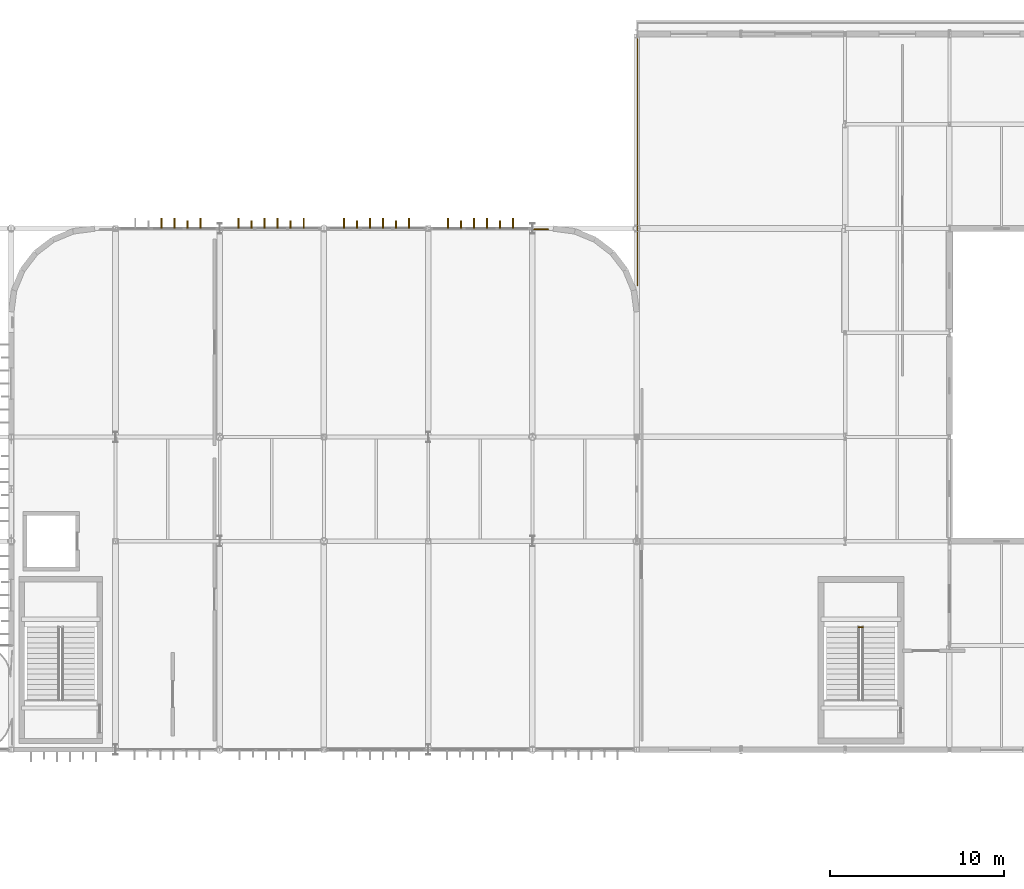
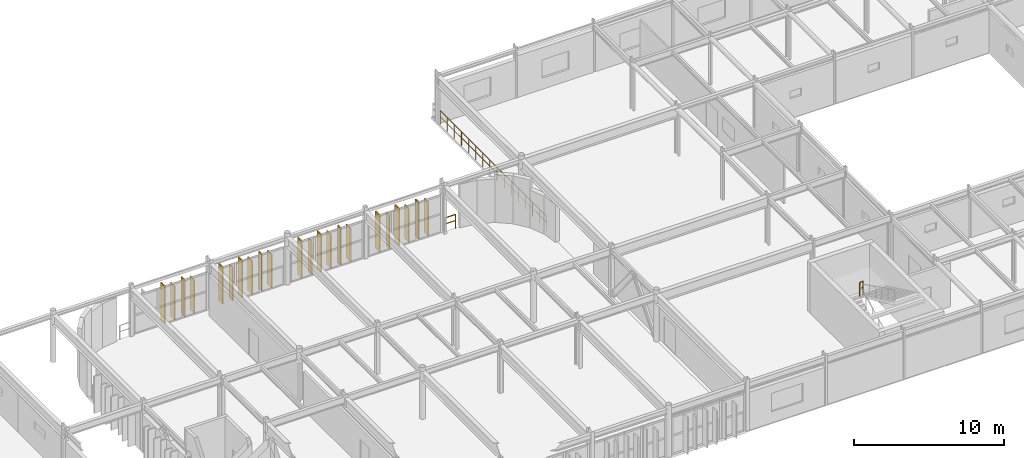
# One storey, part 111 of 116: 22 coverings, 3 railings.
"""IFC4 building model written with IfcOpenShell, lengths in metres."""

from ifc_helpers import new_model, si_unit, direction, frame, origin, origin_2d, place, context, subcontext, project, spatial, rectangle, circle, extrude, material, layer, layer_set, type_object, element, save


model = new_model("IFC4")

# Units and contexts
model_context = context("Model", 3, precision=1e-05, world=origin(), true_north=direction((0.0, 1.0)))
body_context = subcontext(model_context, "Body", "Model", "MODEL_VIEW")
ifc_project = project(units=[si_unit("LENGTHUNIT", "METRE"), si_unit("AREAUNIT", "SQUARE_METRE"), si_unit("VOLUMEUNIT", "CUBIC_METRE"), si_unit("PLANEANGLEUNIT", "RADIAN"), si_unit("MASSUNIT", "GRAM", prefix="KILO")], contexts=[model_context])

# Site, building, storey
site_placement = place(None, origin())
site = spatial("IfcSite", under=ifc_project, at=site_placement, CompositionType="ELEMENT")
building_placement = place(site_placement, origin())
building = spatial("IfcBuilding", under=site, at=building_placement, Name="Varnakota Square Police Headquarters", CompositionType="ELEMENT")
storey_placement = place(building_placement, frame((0.0, 0.0, 9.300048828125)))
storey = spatial("IfcBuildingStorey", under=building, at=storey_placement, Name="L02", CompositionType="ELEMENT", Elevation=9.300048828125)

# Coverings
ifc_material_1 = material(Name="White Anodised Aluminium Vertical Facade Blade 420", Category="aluminium")
ifc_layer_1 = layer(ifc_material_1, 0.0849609375, Name="White Anodised Aluminium Vertical Facade Blade 420")
ifc_layer_set_1 = layer_set([ifc_layer_1], Name="White Anodised Aluminium Vertical Facade Blade 420")
covering_type_1 = type_object("IfcCoveringType", Name="COV-FIN-420", PredefinedType="CLADDING", material=ifc_layer_set_1)
covering_1_placement = place(storey_placement, frame((70.137451171875, 99.237548828125, 0.0400390625), z_axis=(0.0, 0.0, 1.0), x_axis=(1.0, 0.0, 0.0)))
element("IfcCovering", 1, at=covering_1_placement, inside=storey, type_object=covering_type_1, Name="Vertical aluminium facade fin FIN-1242", PredefinedType="CLADDING", context=body_context, shape_type="SweptSolid", body=[
    extrude(rectangle(XDim=0.0849609375, YDim=0.419921875, at=origin_2d()), origin(), (0.0, 0.0, 1.0), 3.010009765625),
])
covering_2_placement = place(storey_placement, frame((73.8359375, 99.237548828125, 0.0400390625), z_axis=(0.0, 0.0, 1.0), x_axis=(1.0, 0.0, 0.0)))
element("IfcCovering", 2, at=covering_2_placement, inside=storey, type_object=covering_type_1, Name="Vertical aluminium facade fin FIN-1245", PredefinedType="CLADDING", context=body_context, shape_type="SweptSolid", body=[
    extrude(rectangle(XDim=0.0849609375, YDim=0.419921875, at=origin_2d()), origin(), (0.0, 0.0, 1.0), 2.72998046875),
])
covering_3_placement = place(storey_placement, frame((76.0859375, 99.237548828125, 0.0400390625), z_axis=(0.0, 0.0, 1.0), x_axis=(1.0, 0.0, 0.0)))
element("IfcCovering", 3, at=covering_3_placement, inside=storey, type_object=covering_type_1, Name="Vertical aluminium facade fin FIN-1248", PredefinedType="CLADDING", context=body_context, shape_type="SweptSolid", body=[
    extrude(rectangle(XDim=0.0849609375, YDim=0.419921875, at=origin_2d()), origin(), (0.0, 0.0, 1.0), 3.010009765625),
])
covering_4_placement = place(storey_placement, frame((79.901611328125, 99.237548828125, 0.0400390625), z_axis=(0.0, 0.0, 1.0), x_axis=(1.0, 0.0, 0.0)))
element("IfcCovering", 4, at=covering_4_placement, inside=storey, type_object=covering_type_1, Name="Vertical aluminium facade fin FIN-1251", PredefinedType="CLADDING", context=body_context, shape_type="SweptSolid", body=[
    extrude(rectangle(XDim=0.0849609375, YDim=0.419921875, at=origin_2d()), origin(), (0.0, 0.0, 1.0), 2.72998046875),
])
covering_5_placement = place(storey_placement, frame((82.151611328125, 99.237548828125, 0.0400390625), z_axis=(0.0, 0.0, 1.0), x_axis=(1.0, 0.0, 0.0)))
element("IfcCovering", 5, at=covering_5_placement, inside=storey, type_object=covering_type_1, Name="Vertical aluminium facade fin FIN-1254", PredefinedType="CLADDING", context=body_context, shape_type="SweptSolid", body=[
    extrude(rectangle(XDim=0.0849609375, YDim=0.419921875, at=origin_2d()), origin(), (0.0, 0.0, 1.0), 3.010009765625),
])
covering_6_placement = place(storey_placement, frame((85.887451171875, 99.237548828125, 0.0400390625), z_axis=(0.0, 0.0, 1.0), x_axis=(1.0, 0.0, 0.0)))
element("IfcCovering", 6, at=covering_6_placement, inside=storey, type_object=covering_type_1, Name="Vertical aluminium facade fin FIN-1257", PredefinedType="CLADDING", context=body_context, shape_type="SweptSolid", body=[
    extrude(rectangle(XDim=0.0849609375, YDim=0.419921875, at=origin_2d()), origin(), (0.0, 0.0, 1.0), 2.72998046875),
])
covering_7_placement = place(storey_placement, frame((88.137451171875, 99.237548828125, 0.0400390625), z_axis=(0.0, 0.0, 1.0), x_axis=(1.0, 0.0, 0.0)))
element("IfcCovering", 7, at=covering_7_placement, inside=storey, type_object=covering_type_1, Name="Vertical aluminium facade fin FIN-1260", PredefinedType="CLADDING", context=body_context, shape_type="SweptSolid", body=[
    extrude(rectangle(XDim=0.0849609375, YDim=0.419921875, at=origin_2d()), origin(), (0.0, 0.0, 1.0), 3.010009765625),
])
ifc_material_2 = material(Name="White Anodised Aluminium Vertical Facade Blade 550", Category="aluminium")
ifc_layer_2 = layer(ifc_material_2, 0.0849609375, Name="White Anodised Aluminium Vertical Facade Blade 550")
ifc_layer_set_2 = layer_set([ifc_layer_2], Name="White Anodised Aluminium Vertical Facade Blade 550")
covering_type_2 = type_object("IfcCoveringType", Name="COV-FIN-550", PredefinedType="CLADDING", material=ifc_layer_set_2)
covering_8_placement = place(storey_placement, frame((68.637451171875, 99.302490234375, 0.0400390625), z_axis=(0.0, 0.0, 1.0), x_axis=(1.0, 0.0, 0.0)))
element("IfcCovering", 8, at=covering_8_placement, inside=storey, type_object=covering_type_2, Name="Vertical aluminium facade fin FIN-1240", PredefinedType="CLADDING", context=body_context, shape_type="SweptSolid", body=[
    extrude(rectangle(XDim=0.0849609375, YDim=0.550048828125, at=origin_2d()), origin(), (0.0, 0.0, 1.0), 3.010009765625),
])
for number, where, z_axis, x_axis, name in (
    (9, (69.387451171875, 99.302490234375, 0.0400390625), (0.0, 0.0, 1.0), (1.0, 0.0, 0.0), "Vertical aluminium facade fin FIN-1241"),
    (10, (70.887451171875, 99.302490234375, 0.0400390625), (0.0, 0.0, 1.0), (1.0, 0.0, 0.0), "Vertical aluminium facade fin FIN-1243"),
):
    element("IfcCovering", number, at=place(storey_placement, frame(where, z_axis=z_axis, x_axis=x_axis)), inside=storey, type_object=covering_type_2, Name=name, PredefinedType="CLADDING", context=body_context, shape_type="SweptSolid", body=[
        extrude(rectangle(XDim=0.0849609375, YDim=0.550048828125, at=origin_2d()), origin(), (0.0, 0.0, 1.0), 2.72998046875),
    ])
for number, where, z_axis, x_axis, name in (
    (11, (73.0859375, 99.302490234375, 0.0400390625), (0.0, 0.0, 1.0), (1.0, 0.0, 0.0), "Vertical aluminium facade fin FIN-1244"),
    (12, (74.5859375, 99.302490234375, 0.0400390625), (0.0, 0.0, 1.0), (1.0, 0.0, 0.0), "Vertical aluminium facade fin FIN-1246"),
):
    element("IfcCovering", number, at=place(storey_placement, frame(where, z_axis=z_axis, x_axis=x_axis)), inside=storey, type_object=covering_type_2, Name=name, PredefinedType="CLADDING", context=body_context, shape_type="SweptSolid", body=[
        extrude(rectangle(XDim=0.0849609375, YDim=0.550048828125, at=origin_2d()), origin(), (0.0, 0.0, 1.0), 3.010009765625),
    ])
for number, where, z_axis, x_axis, name in (
    (13, (75.3359375, 99.302490234375, 0.0400390625), (0.0, 0.0, 1.0), (1.0, 0.0, 0.0), "Vertical aluminium facade fin FIN-1247"),
    (14, (76.8359375, 99.302490234375, 0.0400390625), (0.0, 0.0, 1.0), (1.0, 0.0, 0.0), "Vertical aluminium facade fin FIN-1249"),
):
    element("IfcCovering", number, at=place(storey_placement, frame(where, z_axis=z_axis, x_axis=x_axis)), inside=storey, type_object=covering_type_2, Name=name, PredefinedType="CLADDING", context=body_context, shape_type="SweptSolid", body=[
        extrude(rectangle(XDim=0.0849609375, YDim=0.550048828125, at=origin_2d()), origin(), (0.0, 0.0, 1.0), 2.72998046875),
    ])
for number, where, z_axis, x_axis, name in (
    (15, (79.151611328125, 99.302490234375, 0.0400390625), (0.0, 0.0, 1.0), (1.0, 0.0, 0.0), "Vertical aluminium facade fin FIN-1250"),
    (16, (80.651611328125, 99.302490234375, 0.0400390625), (0.0, 0.0, 1.0), (1.0, 0.0, 0.0), "Vertical aluminium facade fin FIN-1252"),
):
    element("IfcCovering", number, at=place(storey_placement, frame(where, z_axis=z_axis, x_axis=x_axis)), inside=storey, type_object=covering_type_2, Name=name, PredefinedType="CLADDING", context=body_context, shape_type="SweptSolid", body=[
        extrude(rectangle(XDim=0.0849609375, YDim=0.550048828125, at=origin_2d()), origin(), (0.0, 0.0, 1.0), 3.010009765625),
    ])
for number, where, z_axis, x_axis, name in (
    (17, (81.401611328125, 99.302490234375, 0.0400390625), (0.0, 0.0, 1.0), (1.0, 0.0, 0.0), "Vertical aluminium facade fin FIN-1253"),
    (18, (82.901611328125, 99.302490234375, 0.0400390625), (0.0, 0.0, 1.0), (1.0, 0.0, 0.0), "Vertical aluminium facade fin FIN-1255"),
):
    element("IfcCovering", number, at=place(storey_placement, frame(where, z_axis=z_axis, x_axis=x_axis)), inside=storey, type_object=covering_type_2, Name=name, PredefinedType="CLADDING", context=body_context, shape_type="SweptSolid", body=[
        extrude(rectangle(XDim=0.0849609375, YDim=0.550048828125, at=origin_2d()), origin(), (0.0, 0.0, 1.0), 2.72998046875),
    ])
for number, where, z_axis, x_axis, name in (
    (19, (85.137451171875, 99.302490234375, 0.0400390625), (0.0, 0.0, 1.0), (1.0, 0.0, 0.0), "Vertical aluminium facade fin FIN-1256"),
    (20, (86.637451171875, 99.302490234375, 0.0400390625), (0.0, 0.0, 1.0), (1.0, 0.0, 0.0), "Vertical aluminium facade fin FIN-1258"),
):
    element("IfcCovering", number, at=place(storey_placement, frame(where, z_axis=z_axis, x_axis=x_axis)), inside=storey, type_object=covering_type_2, Name=name, PredefinedType="CLADDING", context=body_context, shape_type="SweptSolid", body=[
        extrude(rectangle(XDim=0.0849609375, YDim=0.550048828125, at=origin_2d()), origin(), (0.0, 0.0, 1.0), 3.010009765625),
    ])
for number, where, z_axis, x_axis, name in (
    (21, (87.387451171875, 99.302490234375, 0.0400390625), (0.0, 0.0, 1.0), (1.0, 0.0, 0.0), "Vertical aluminium facade fin FIN-1259"),
    (22, (88.887451171875, 99.302490234375, 0.0400390625), (0.0, 0.0, 1.0), (1.0, 0.0, 0.0), "Vertical aluminium facade fin FIN-1261"),
):
    element("IfcCovering", number, at=place(storey_placement, frame(where, z_axis=z_axis, x_axis=x_axis)), inside=storey, type_object=covering_type_2, Name=name, PredefinedType="CLADDING", context=body_context, shape_type="SweptSolid", body=[
        extrude(rectangle(XDim=0.0849609375, YDim=0.550048828125, at=origin_2d()), origin(), (0.0, 0.0, 1.0), 2.72998046875),
    ])

# Railings
ifc_material_3 = material(Name="Galvanised Powder-Coated Steel Guardrail", Category="steel")
railing_type_1 = type_object("IfcRailingType", Name="RL-BAL-1150", PredefinedType="BALUSTRADE", material=ifc_material_3)
railing_1_placement = place(storey_placement, frame((90.1044921875, 98.949951171875, 0.0)))
element("IfcRailing", 23, at=railing_1_placement, inside=storey, type_object=railing_type_1, Name="Perimeter edge safety guard GD-AUTO-L02-058", PredefinedType="BALUSTRADE", context=body_context, shape_type="SweptSolid", body=[
    extrude(circle(Radius=0.02392578125, at=origin_2d()), frame((0.0, 0.0, 1.1259765625), z_axis=(1.0, 0.0, 0.0), x_axis=(0.0, 1.0, 0.0)), (0.0, 0.0, 1.0), 0.7998046875),
    extrude(circle(Radius=0.01806640625, at=origin_2d()), frame((0.0, 0.0, 0.63232421875), z_axis=(1.0, 0.0, 0.0), x_axis=(0.0, 1.0, 0.0)), (0.0, 0.0, 1.0), 0.7998046875),
    extrude(circle(Radius=0.02099609375, at=origin_2d()), origin(), (0.0, 0.0, 1.0), 1.101806640625),
    extrude(circle(Radius=0.02099609375, at=origin_2d()), frame((0.7998046875, 0.0, 0.0)), (0.0, 0.0, 1.0), 1.101806640625),
])
railing_2_placement = place(storey_placement, frame((96.050048828125, 95.710693359375, 0.0)))
element("IfcRailing", 24, at=railing_2_placement, inside=storey, type_object=railing_type_1, Name="Perimeter edge safety guard GD-AUTO-L02-059", PredefinedType="BALUSTRADE", context=body_context, shape_type="SweptSolid", body=[
    extrude(circle(Radius=0.02392578125, at=origin_2d()), frame((0.0, 0.0, 1.1259765625), z_axis=(0.0, 1.0, 0.0), x_axis=(-1.0, 0.0, 0.0)), (0.0, 0.0, 1.0), 14.1806640625),
    extrude(circle(Radius=0.01806640625, at=origin_2d()), frame((0.0, 0.0, 0.63232421875), z_axis=(0.0, 1.0, 0.0), x_axis=(-1.0, 0.0, 0.0)), (0.0, 0.0, 1.0), 14.1806640625),
    extrude(circle(Radius=0.02099609375, at=origin_2d()), origin(), (0.0, 0.0, 1.0), 1.101806640625),
    extrude(circle(Radius=0.02099609375, at=origin_2d()), frame((0.0, 0.9453125, 0.0)), (0.0, 0.0, 1.0), 1.101806640625),
    extrude(circle(Radius=0.02099609375, at=origin_2d()), frame((0.0, 1.890869140625, 0.0)), (0.0, 0.0, 1.0), 1.101806640625),
    extrude(circle(Radius=0.02099609375, at=origin_2d()), frame((0.0, 2.836181640625, 0.0)), (0.0, 0.0, 1.0), 1.101806640625),
    extrude(circle(Radius=0.02099609375, at=origin_2d()), frame((0.0, 3.781494140625, 0.0)), (0.0, 0.0, 1.0), 1.101806640625),
    extrude(circle(Radius=0.02099609375, at=origin_2d()), frame((0.0, 4.726806640625, 0.0)), (0.0, 0.0, 1.0), 1.101806640625),
    extrude(circle(Radius=0.02099609375, at=origin_2d()), frame((0.0, 5.67236328125, 0.0)), (0.0, 0.0, 1.0), 1.101806640625),
    extrude(circle(Radius=0.02099609375, at=origin_2d()), frame((0.0, 6.61767578125, 0.0)), (0.0, 0.0, 1.0), 1.101806640625),
    extrude(circle(Radius=0.02099609375, at=origin_2d()), frame((0.0, 7.56298828125, 0.0)), (0.0, 0.0, 1.0), 1.101806640625),
    extrude(circle(Radius=0.02099609375, at=origin_2d()), frame((0.0, 8.50830078125, 0.0)), (0.0, 0.0, 1.0), 1.101806640625),
    extrude(circle(Radius=0.02099609375, at=origin_2d()), frame((0.0, 9.453857421875, 0.0)), (0.0, 0.0, 1.0), 1.101806640625),
    extrude(circle(Radius=0.02099609375, at=origin_2d()), frame((0.0, 10.399169921875, 0.0)), (0.0, 0.0, 1.0), 1.101806640625),
    extrude(circle(Radius=0.02099609375, at=origin_2d()), frame((0.0, 11.344482421875, 0.0)), (0.0, 0.0, 1.0), 1.101806640625),
    extrude(circle(Radius=0.02099609375, at=origin_2d()), frame((0.0, 12.289794921875, 0.0)), (0.0, 0.0, 1.0), 1.101806640625),
    extrude(circle(Radius=0.02099609375, at=origin_2d()), frame((0.0, 13.2353515625, 0.0)), (0.0, 0.0, 1.0), 1.101806640625),
    extrude(circle(Radius=0.02099609375, at=origin_2d()), frame((0.0, 14.1806640625, 0.0)), (0.0, 0.0, 1.0), 1.101806640625),
])
ifc_material_4 = material(Name="Laminated Glass and Stainless Steel Balustrade", Category="steel")
railing_type_2 = type_object("IfcRailingType", Name="RL-INT-1150", PredefinedType="BALUSTRADE", material=ifc_material_4)
railing_3_placement = place(storey_placement, frame((108.77001953125, 76.05078125, 2.099853515625)))
element("IfcRailing", 25, at=railing_3_placement, inside=storey, type_object=railing_type_2, Name="Half-landing well guard C9 L02", PredefinedType="BALUSTRADE", context=body_context, shape_type="SweptSolid", body=[
    extrude(circle(Radius=0.02392578125, at=origin_2d()), frame((0.0, 0.0, 1.1259765625), z_axis=(1.0, 0.0, 0.0), x_axis=(0.0, 1.0, 0.0)), (0.0, 0.0, 1.0), 0.259765625),
    extrude(circle(Radius=0.01806640625, at=origin_2d()), frame((0.0, 0.0, 0.63232421875), z_axis=(1.0, 0.0, 0.0), x_axis=(0.0, 1.0, 0.0)), (0.0, 0.0, 1.0), 0.259765625),
    extrude(circle(Radius=0.02099609375, at=origin_2d()), origin(), (0.0, 0.0, 1.0), 1.101806640625),
    extrude(circle(Radius=0.02099609375, at=origin_2d()), frame((0.259765625, 0.0, 0.0)), (0.0, 0.0, 1.0), 1.101806640625),
])

save(model, "model.ifc")
